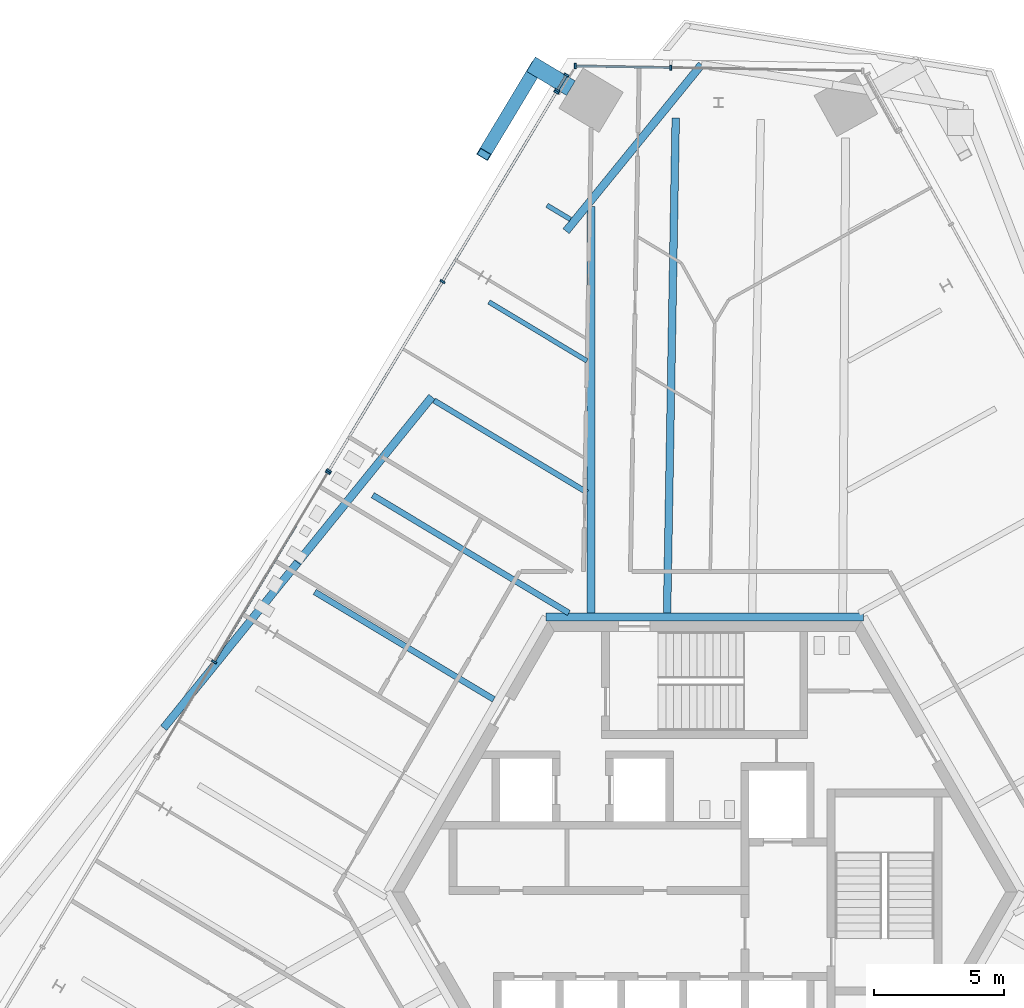
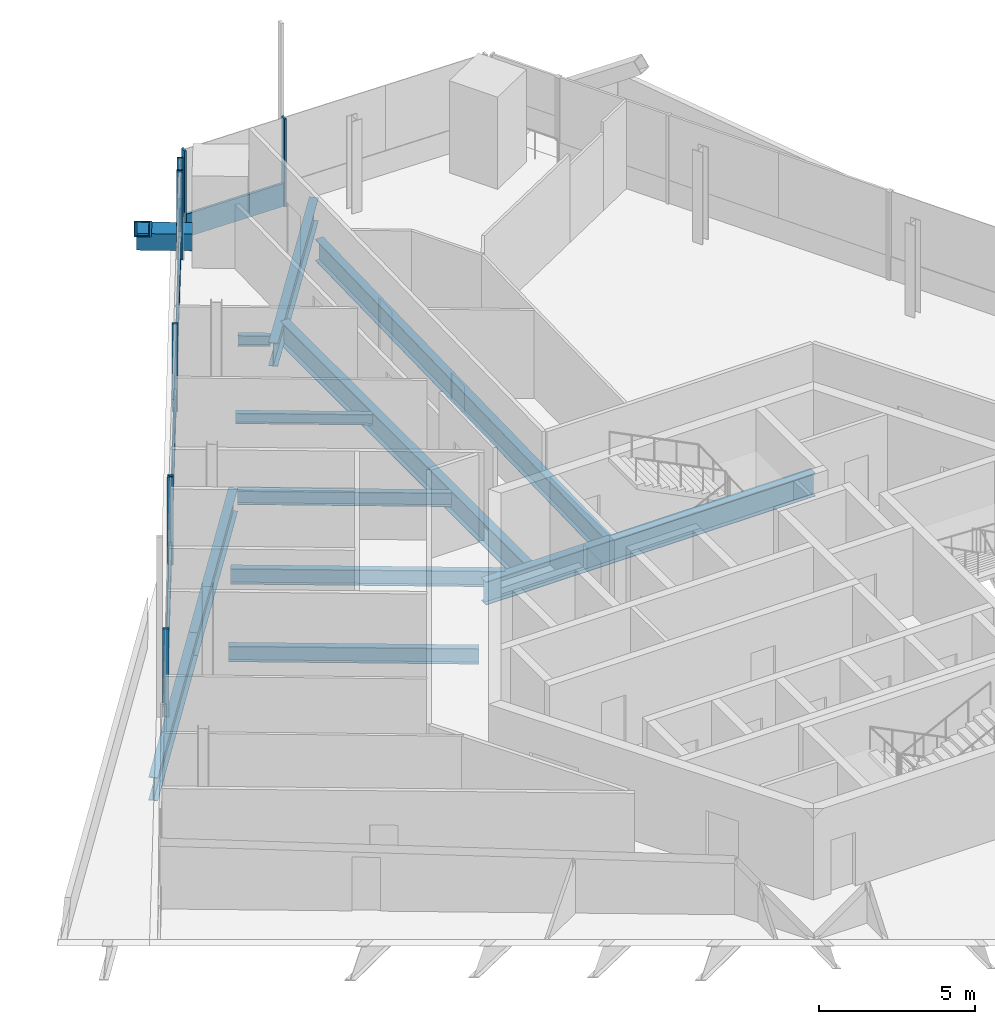
# One storey, part 8 of 22: 16 members, 11 beams, 4 elements without a shape of their own.
"""IFC4 building model written with IfcOpenShell, lengths in metres."""

from ifc_helpers import new_model, si_unit, direction, frame, origin, origin_2d, place, context, subcontext, project, spatial, rectangle, hollow_rectangle, i_section, extrude, source, transform, mapped, material, material_profile, profile_set, type_object, element, aggregate, save


model = new_model("IFC4")

# Units and contexts
model_context = context("Model", 3, precision=1e-05, world=origin(), true_north=direction((0.0, 1.0)))
body_context = subcontext(model_context, "Body", "Model", "MODEL_VIEW")
ifc_project = project(units=[si_unit("LENGTHUNIT", "METRE"), si_unit("AREAUNIT", "SQUARE_METRE"), si_unit("VOLUMEUNIT", "CUBIC_METRE"), si_unit("PLANEANGLEUNIT", "RADIAN"), si_unit("MASSUNIT", "GRAM", prefix="KILO")], contexts=[model_context])

# Site, building, storey
site_placement = place(None, origin())
site = spatial("IfcSite", under=ifc_project, at=site_placement, CompositionType="ELEMENT")
building_placement = place(site_placement, origin())
building = spatial("IfcBuilding", under=site, at=building_placement, Name="Triune Harvest Tower", CompositionType="ELEMENT")
storey_placement = place(building_placement, frame((0.0, 0.0, 179.89990234375)))
storey = spatial("IfcBuildingStorey", under=building, at=storey_placement, Name="L46", CompositionType="ELEMENT", Elevation=179.89990234375)

# Beams
ifc_material_1 = material(Name="Steel ASTM A992 Gr 50", Category="steel")
ifc_material_profile_1 = material_profile(ifc_material_1, i_section(OverallWidth=0.307373046875, OverallDepth=0.922119140625, WebThickness=0.018310546875, FlangeThickness=0.030029296875, at=origin_2d()), Name="W36x182")
ifc_profile_set_1 = profile_set([ifc_material_profile_1], Name="Steel ASTM A992 Gr 50")
beam_type_1 = type_object("IfcBeamType", Name="HG-2 Hip girder W36x182", PredefinedType="BEAM", material=ifc_profile_set_1)
beam_1_placement = place(storey_placement, frame((-4.359130859375, 26.281005859375, -0.620849609375), z_axis=(0.0, -1.0, 0.0), x_axis=(1.0, 0.0, 0.0)))
element("IfcBeam", 1, at=beam_1_placement, inside=storey, type_object=beam_type_1, Name="beam/L46/HG4", PredefinedType="BEAM", context=body_context, shape_type="SweptSolid", body=[
    extrude(i_section(OverallWidth=0.307373046875, OverallDepth=0.922119140625, WebThickness=0.018310546875, FlangeThickness=0.030029296875, at=origin_2d()), origin(), (0.0, 0.0, 1.0), 15.583984375),
])
ifc_material_2 = material(Name="Steel ASTM A992 Gr 50", Category="steel")
ifc_material_profile_2 = material_profile(ifc_material_2, i_section(OverallWidth=0.22900390625, OverallDepth=0.612060546875, WebThickness=0.011962890625, FlangeThickness=0.01953125, at=origin_2d()), Name="W24x84")
ifc_profile_set_2 = profile_set([ifc_material_profile_2], Name="Steel ASTM A992 Gr 50")
beam_type_2 = type_object("IfcBeamType", Name="JT-3 Floor joist W24x84", PredefinedType="JOIST", material=ifc_profile_set_2)
beam_2_placement = place(storey_placement, frame((-14.958251953125, 11.510009765625, -0.466064453125), z_axis=(0.857162090708, -0.515046745696, 0.0), x_axis=(0.515046745696, 0.857162090708, 0.0)))
element("IfcBeam", 2, at=beam_2_placement, inside=storey, type_object=beam_type_2, Name="beam/L46/JT17", PredefinedType="JOIST", context=body_context, shape_type="SweptSolid", body=[
    extrude(i_section(OverallWidth=0.22900390625, OverallDepth=0.612060546875, WebThickness=0.011962890625, FlangeThickness=0.01953125, at=origin_2d()), origin(), (0.0, 0.0, 1.0), 8.01318359375),
])
ifc_material_3 = material(Name="Steel ASTM A992 Gr 50", Category="steel")
ifc_material_profile_3 = material_profile(ifc_material_3, i_section(OverallWidth=0.3046875, OverallDepth=0.914306640625, WebThickness=0.0166015625, FlangeThickness=0.02587890625, at=origin_2d()), Name="W36x160")
ifc_profile_set_3 = profile_set([ifc_material_profile_3], Name="Steel ASTM A992 Gr 50")
beam_type_3 = type_object("IfcBeamType", Name="SB-1 Spandrel beam W36x160", PredefinedType="SPANDREL", material=ifc_profile_set_3)
beam_3_placement = place(storey_placement, frame((-0.122314453125, 31.73388671875, -0.6171875), z_axis=(-0.630829213857, -0.775921711865, 0.0), x_axis=(0.775921711865, -0.630829213857, 0.0)))
element("IfcBeam", 3, at=beam_3_placement, inside=storey, type_object=beam_type_3, Name="beam/L46/WB8", PredefinedType="SPANDREL", context=body_context, shape_type="SweptSolid", body=[
    extrude(i_section(OverallWidth=0.3046875, OverallDepth=0.914306640625, WebThickness=0.0166015625, FlangeThickness=0.02587890625, at=origin_2d()), origin(), (0.0, 0.0, 1.0), 8.23486328125),
])

# Curtain wall, member
ifc_material_4 = material(Name="Aluminium bronze anodised", Category="aluminium")
curtain_wall_type_1 = type_object("IfcCurtainWallType", Name="CW-1 Tower stick curtain wall", PredefinedType="NOTDEFINED", material=ifc_material_4)
curtain_wall_1_placement = place(storey_placement, origin())
curtain_wall_1 = element("IfcCurtainWall", 4, at=curtain_wall_1_placement, inside=storey, type_object=curtain_wall_type_1, Name="CW-1 B5-F3 L46 run 1")
ifc_material_5 = material(Name="Aluminium bronze anodised", Category="aluminium")
ifc_material_profile_4 = material_profile(ifc_material_5, rectangle(XDim=0.090087890625, YDim=0.89990234375, at=origin_2d()), Name="TR-1 transom 90 x 900")
ifc_profile_set_4 = profile_set([ifc_material_profile_4], Name="Aluminium bronze anodised")
member_type_1 = type_object("IfcMemberType", Name="TR-1 transom 90 x 900", PredefinedType="USERDEFINED", material=ifc_profile_set_4)
member_1_placement = place(storey_placement, frame((-5.315673828125, 31.300048828125, 1.43505859375), z_axis=(-0.515016791814, -0.857180088517, 0.0), x_axis=(0.857180088517, -0.515016791814, 0.0)))
member_1 = element("IfcMember", 5, at=member_1_placement, type_object=member_type_1, Name="CW-1 transom B5-F3 1.1", ObjectType="TRANSOM", PredefinedType="USERDEFINED", context=body_context, shape_type="SweptSolid", body=[
    extrude(rectangle(XDim=0.090087890625, YDim=0.89990234375, at=origin_2d()), origin(), (0.0, 0.0, 1.0), 0.6201171875),
])

# Beams
ifc_material_6 = material(Name="Steel ASTM A992 Gr 50", Category="steel")
ifc_material_profile_5 = material_profile(ifc_material_6, i_section(OverallWidth=0.3046875, OverallDepth=0.914306640625, WebThickness=0.0166015625, FlangeThickness=0.02587890625, at=origin_2d()), Name="W36x160")
ifc_profile_set_5 = profile_set([ifc_material_profile_5], Name="Steel ASTM A992 Gr 50")
beam_type_4 = type_object("IfcBeamType", Name="CG-1 Core ring girder W36x160", PredefinedType="BEAM", material=ifc_profile_set_5)
shared_shape_1 = source(origin(), body_context, "Body", "SweptSolid", [
    extrude(i_section(OverallWidth=0.3046875, OverallDepth=0.914306640625, WebThickness=0.0166015625, FlangeThickness=0.02587890625, at=origin_2d()), origin(), (0.0, 0.0, 1.0), 12.17578125),
])
beam_4_placement = place(storey_placement, frame((6.087890625, 10.544677734375, -0.6171875), z_axis=(-1.0, 0.0, 0.0), x_axis=(0.0, -1.0, 0.0)))
element("IfcBeam", 6, at=beam_4_placement, inside=storey, type_object=beam_type_4, Name="beam/L46/CG2", PredefinedType="BEAM", context=body_context, shape_type="MappedRepresentation", body=[
    mapped(shared_shape_1, transform((0.0, 0.0, 0.0), scale=1.0)),
])
shared_shape_2 = source(origin(), body_context, "Body", "SweptSolid", [
    extrude(i_section(OverallWidth=0.3046875, OverallDepth=0.914306640625, WebThickness=0.0166015625, FlangeThickness=0.02587890625, at=origin_2d()), origin(), (0.0, 0.0, 1.0), 8.175048828125),
])
for number, where, z_axis, x_axis, name in (
    (7, (-10.4619140625, 18.9912109375, -0.6171875), (-0.629320212564, -0.777146105992, 0.0), (0.777146105992, -0.629320212564, 0.0), "beam/L46/WB9"),
    (8, (-15.606689453125, 12.637939453125, -0.6171875), (-0.629302175622, -0.777160711666, 0.0), (0.777160711666, -0.629302175622, 0.0), "beam/L46/WB10"),
):
    element("IfcBeam", number, at=place(storey_placement, frame(where, z_axis=z_axis, x_axis=x_axis)), inside=storey, type_object=beam_type_3, Name=name, PredefinedType="SPANDREL", context=body_context, shape_type="MappedRepresentation", body=[
        mapped(shared_shape_2, transform((0.0, 0.0, 0.0), scale=1.0)),
    ])
ifc_material_7 = material(Name="Steel ASTM A992 Gr 50", Category="steel")
ifc_material_profile_6 = material_profile(ifc_material_7, i_section(OverallWidth=0.180908203125, OverallDepth=0.41650390625, WebThickness=0.010986328125, FlangeThickness=0.01806640625, at=origin_2d()), Name="W16x57")
ifc_profile_set_6 = profile_set([ifc_material_profile_6], Name="Steel ASTM A992 Gr 50")
beam_type_5 = type_object("IfcBeamType", Name="JT-1 Floor joist W16x57", PredefinedType="JOIST", material=ifc_profile_set_6)
shared_shape_3 = source(origin(), body_context, "Body", "SweptSolid", [
    extrude(i_section(OverallWidth=0.180908203125, OverallDepth=0.41650390625, WebThickness=0.010986328125, FlangeThickness=0.01806640625, at=origin_2d()), origin(), (0.0, 0.0, 1.0), 1.052490234375),
])
beam_5_placement = place(storey_placement, frame((-6.05029296875, 26.33544921875, -0.3681640625), z_axis=(0.857185733632, -0.51500739612, 0.0), x_axis=(0.51500739612, 0.857185733632, 0.0)))
element("IfcBeam", 9, at=beam_5_placement, inside=storey, type_object=beam_type_5, Name="beam/L46/JT13", PredefinedType="JOIST", context=body_context, shape_type="MappedRepresentation", body=[
    mapped(shared_shape_3, transform((0.0, 0.0, 0.0), scale=1.0)),
])
ifc_material_8 = material(Name="Steel ASTM A992 Gr 50", Category="steel")
ifc_material_profile_7 = material_profile(ifc_material_8, i_section(OverallWidth=0.2099609375, OverallDepth=0.535888671875, WebThickness=0.010986328125, FlangeThickness=0.017333984375, at=origin_2d()), Name="W21x68")
ifc_profile_set_7 = profile_set([ifc_material_profile_7], Name="Steel ASTM A992 Gr 50")
beam_type_6 = type_object("IfcBeamType", Name="JT-2 Floor joist W21x68", PredefinedType="JOIST", material=ifc_profile_set_7)
shared_shape_4 = source(origin(), body_context, "Body", "SweptSolid", [
    extrude(i_section(OverallWidth=0.2099609375, OverallDepth=0.535888671875, WebThickness=0.010986328125, FlangeThickness=0.017333984375, at=origin_2d()), origin(), (0.0, 0.0, 1.0), 6.84619140625),
])
beam_6_placement = place(storey_placement, frame((-10.381103515625, 18.8486328125, -0.427978515625), z_axis=(0.857181260015, -0.515014841999, 0.0), x_axis=(0.515014841999, 0.857181260015, 0.0)))
element("IfcBeam", 10, at=beam_6_placement, inside=storey, type_object=beam_type_6, Name="beam/L46/JT15", PredefinedType="JOIST", context=body_context, shape_type="MappedRepresentation", body=[
    mapped(shared_shape_4, transform((0.0, 0.0, 0.0), scale=1.0)),
])
shared_shape_5 = source(origin(), body_context, "Body", "SweptSolid", [
    extrude(i_section(OverallWidth=0.22900390625, OverallDepth=0.612060546875, WebThickness=0.011962890625, FlangeThickness=0.01953125, at=origin_2d()), origin(), (0.0, 0.0, 1.0), 8.774658203125),
])
beam_7_placement = place(storey_placement, frame((-12.731201171875, 15.21630859375, -0.466064453125), z_axis=(0.85716377645, -0.515043940204, 0.0), x_axis=(0.515043940204, 0.85716377645, 0.0)))
element("IfcBeam", 11, at=beam_7_placement, inside=storey, type_object=beam_type_2, Name="beam/L46/JT16", PredefinedType="JOIST", context=body_context, shape_type="MappedRepresentation", body=[
    mapped(shared_shape_5, transform((0.0, 0.0, 0.0), scale=1.0)),
])
ifc_material_9 = material(Name="Steel ASTM A992 Gr 50", Category="steel")
ifc_material_profile_8 = material_profile(ifc_material_9, i_section(OverallWidth=0.2919921875, OverallDepth=0.8408203125, WebThickness=0.0146484375, FlangeThickness=0.021728515625, at=origin_2d()), Name="W33x130")
ifc_profile_set_8 = profile_set([ifc_material_profile_8], Name="Steel ASTM A992 Gr 50")
beam_type_7 = type_object("IfcBeamType", Name="JT-6 Floor joist W33x130", PredefinedType="JOIST", material=ifc_profile_set_8)
shared_shape_6 = source(origin(), body_context, "Body", "SweptSolid", [
    extrude(i_section(OverallWidth=0.2919921875, OverallDepth=0.8408203125, WebThickness=0.0146484375, FlangeThickness=0.021728515625, at=origin_2d()), origin(), (0.0, 0.0, 1.0), 18.98779296875),
])
beam_8_placement = place(storey_placement, frame((-1.111572265625, 29.681884765625, -0.580322265625), z_axis=(-0.017460880239, -0.99984754721, 0.0), x_axis=(0.99984754721, -0.017460880239, 0.0)))
element("IfcBeam", 12, at=beam_8_placement, inside=storey, type_object=beam_type_7, Name="beam/L46/JT12", PredefinedType="JOIST", context=body_context, shape_type="MappedRepresentation", body=[
    mapped(shared_shape_6, transform((0.0, 0.0, 0.0), scale=1.0)),
])
shared_shape_7 = source(origin(), body_context, "Body", "SweptSolid", [
    extrude(i_section(OverallWidth=0.180908203125, OverallDepth=0.41650390625, WebThickness=0.010986328125, FlangeThickness=0.01806640625, at=origin_2d()), origin(), (0.0, 0.0, 1.0), 4.391845703125),
])
beam_9_placement = place(storey_placement, frame((-8.27734375, 22.629150390625, -0.3681640625), z_axis=(0.857173944952, -0.51502701686, 0.0), x_axis=(0.51502701686, 0.857173944952, 0.0)))
element("IfcBeam", 13, at=beam_9_placement, inside=storey, type_object=beam_type_5, Name="beam/L46/JT14", PredefinedType="JOIST", context=body_context, shape_type="MappedRepresentation", body=[
    mapped(shared_shape_7, transform((0.0, 0.0, 0.0), scale=1.0)),
])

# Members
ifc_material_10 = material(Name="Steel ASTM A572 Gr 50", Category="steel")
ifc_material_profile_9 = material_profile(ifc_material_10, hollow_rectangle(XDim=0.64990234375, YDim=0.64990234375, WallThickness=0.070068359375, at=origin_2d()), Name="Box 650x650x70")
ifc_profile_set_9 = profile_set([ifc_material_profile_9], Name="Steel ASTM A572 Gr 50")
member_type_2 = type_object("IfcMemberType", Name="BS-1 Brace stub Box 650x650x70", PredefinedType="STRUT", material=ifc_profile_set_9)
shared_shape_8 = source(origin(), body_context, "Body", "SweptSolid", [
    extrude(hollow_rectangle(XDim=0.64990234375, YDim=0.64990234375, WallThickness=0.070068359375, at=origin_2d()), origin(), (0.0, 0.0, 1.0), 1.787109375),
])
member_2_placement = place(storey_placement, frame((-5.130615234375, 30.8271484375, 0.60009765625), z_axis=(-0.857094891513, 0.515158564854, 0.0), x_axis=(-0.515158564854, -0.857094891513, 0.0)))
element("IfcMember", 14, at=member_2_placement, inside=storey, type_object=member_type_2, Name="brace/B5-F3/stub1", PredefinedType="STRUT", context=body_context, shape_type="MappedRepresentation", body=[
    mapped(shared_shape_8, transform((0.0, 0.0, 0.0), scale=1.0)),
])
ifc_material_11 = material(Name="Steel ASTM A572 Gr 50", Category="steel")
ifc_material_profile_10 = material_profile(ifc_material_11, hollow_rectangle(XDim=0.5, YDim=0.5, WallThickness=0.030029296875, at=origin_2d()), Name="Box 500x500x30")
ifc_profile_set_10 = profile_set([ifc_material_profile_10], Name="Steel ASTM A572 Gr 50")
member_type_3 = type_object("IfcMemberType", Name="BR-3 Brace Box 500x500x30", PredefinedType="BRACE", material=ifc_profile_set_10)
shared_shape_9 = source(origin(), body_context, "Body", "SweptSolid", [
    extrude(hollow_rectangle(XDim=0.5, YDim=0.5, WallThickness=0.030029296875, at=origin_2d()), origin(), (0.0, 0.0, 1.0), 4.74462890625),
])
member_3_placement = place(storey_placement, frame((-6.4609375, 31.626708984375, 0.89013671875), z_axis=(-0.422758308536, -0.703602374746, 0.571155942642), x_axis=(0.857171952851, -0.515030332355, 0.0)))
element("IfcMember", 15, at=member_3_placement, inside=storey, type_object=member_type_3, Name="brace/B5-F3/d1/1", PredefinedType="BRACE", context=body_context, shape_type="MappedRepresentation", body=[
    mapped(shared_shape_9, transform((0.0, 0.0, 0.0), scale=1.0)),
])

# Curtain wall, members
curtain_wall_2_placement = place(storey_placement, origin())
curtain_wall_2 = element("IfcCurtainWall", 16, at=curtain_wall_2_placement, inside=storey, type_object=curtain_wall_type_1, Name="CW-1 B5-F2 L46 run 1")
ifc_material_12 = material(Name="Aluminium bronze anodised", Category="aluminium")
ifc_material_profile_11 = material_profile(ifc_material_12, rectangle(XDim=0.199951171875, YDim=0.074951171875, at=origin_2d()), Name="MU-1 mullion 75 x 200")
ifc_profile_set_11 = profile_set([ifc_material_profile_11], Name="Aluminium bronze anodised")
member_type_4 = type_object("IfcMemberType", Name="MU-1 mullion 75 x 200", PredefinedType="MULLION", material=ifc_profile_set_11)
shared_shape_10 = source(origin(), body_context, "Body", "SweptSolid", [
    extrude(rectangle(XDim=0.199951171875, YDim=0.074951171875, at=origin_2d()), origin(), (0.0, 0.0, 1.0), 3.440185546875),
])
member_4_placement = place(storey_placement, frame((-1.298583984375, 31.612548828125, 0.0), z_axis=(0.0, 0.0, 1.0), x_axis=(-0.017446318452, -0.999847801404, 0.0)))
member_4 = element("IfcMember", 17, at=member_4_placement, type_object=member_type_4, Name="CW-1 mullion B5-F2 1.3", PredefinedType="MULLION", context=body_context, shape_type="MappedRepresentation", body=[
    mapped(shared_shape_10, transform((0.0, 0.0, 0.0), scale=1.0)),
])
member_5_placement = place(storey_placement, frame((-4.960693359375, 31.676513671875, 0.0), z_axis=(0.0, 0.0, 1.0), x_axis=(-0.017446318452, -0.999847801404, 0.0)))
member_5 = element("IfcMember", 18, at=member_5_placement, type_object=member_type_4, Name="CW-1 mullion B5-F2 1.4", PredefinedType="MULLION", context=body_context, shape_type="MappedRepresentation", body=[
    mapped(shared_shape_10, transform((0.0, 0.0, 0.0), scale=1.0)),
])

ifc_material_13 = material(Name="Aluminium bronze anodised", Category="aluminium")
curtain_wall_type_2 = type_object("IfcCurtainWallType", Name="CW-7 Tower stick curtain wall with insulated spandrel infill", PredefinedType="NOTDEFINED", material=ifc_material_13)
curtain_wall_3_placement = place(storey_placement, origin())
curtain_wall_3 = element("IfcCurtainWall", 19, at=curtain_wall_3_placement, inside=storey, type_object=curtain_wall_type_2, Name="CW-7 B5-F3 L46 run 101")
member_6_placement = place(storey_placement, frame((-5.69287109375, 30.672119140625, 0.0), z_axis=(0.0, 0.0, 1.0), x_axis=(0.857169699895, -0.515034081961, 0.0)))
member_6 = element("IfcMember", 20, at=member_6_placement, type_object=member_type_4, Name="CW-7 mullion B5-F3 101.1", PredefinedType="MULLION", context=body_context, shape_type="MappedRepresentation", body=[
    mapped(shared_shape_10, transform((0.0, 0.0, 0.0), scale=1.0)),
])
member_7_placement = place(storey_placement, frame((-10.055419921875, 23.41162109375, 0.0), z_axis=(0.0, 0.0, 1.0), x_axis=(0.857169699895, -0.515034081961, 0.0)))
member_7 = element("IfcMember", 21, at=member_7_placement, type_object=member_type_4, Name="CW-7 mullion B5-F3 101.3", PredefinedType="MULLION", context=body_context, shape_type="MappedRepresentation", body=[
    mapped(shared_shape_10, transform((0.0, 0.0, 0.0), scale=1.0)),
])
member_8_placement = place(storey_placement, frame((-14.41796875, 16.151123046875, 0.0), z_axis=(0.0, 0.0, 1.0), x_axis=(0.857169699895, -0.515034081961, 0.0)))
member_8 = element("IfcMember", 22, at=member_8_placement, type_object=member_type_4, Name="CW-7 mullion B5-F3 101.5", PredefinedType="MULLION", context=body_context, shape_type="MappedRepresentation", body=[
    mapped(shared_shape_10, transform((0.0, 0.0, 0.0), scale=1.0)),
])

curtain_wall_4_placement = place(storey_placement, origin())
curtain_wall_4 = element("IfcCurtainWall", 23, at=curtain_wall_4_placement, inside=storey, type_object=curtain_wall_type_1, Name="CW-1 B5-F3 L46 run 1101")
member_9_placement = place(storey_placement, frame((-14.45654296875, 16.086669921875, 0.0), z_axis=(0.0, 0.0, 1.0), x_axis=(0.857164336448, -0.515043008225, 0.0)))
member_9 = element("IfcMember", 24, at=member_9_placement, type_object=member_type_4, Name="CW-1 mullion B5-F3 1101.1", PredefinedType="MULLION", context=body_context, shape_type="MappedRepresentation", body=[
    mapped(shared_shape_10, transform((0.0, 0.0, 0.0), scale=1.0)),
])
member_10_placement = place(storey_placement, frame((-18.8193359375, 8.826171875, 0.0), z_axis=(0.0, 0.0, 1.0), x_axis=(0.857164336448, -0.515043008225, 0.0)))
member_10 = element("IfcMember", 25, at=member_10_placement, type_object=member_type_4, Name="CW-1 mullion B5-F3 1101.3", PredefinedType="MULLION", context=body_context, shape_type="MappedRepresentation", body=[
    mapped(shared_shape_10, transform((0.0, 0.0, 0.0), scale=1.0)),
])

# Member
shared_shape_11 = source(origin(), body_context, "Body", "SweptSolid", [
    extrude(rectangle(XDim=0.199951171875, YDim=0.074951171875, at=origin_2d()), origin(), (0.0, 0.0, 1.0), 2.455078125),
])
member_11_placement = place(storey_placement, frame((-5.29638671875, 31.332275390625, 0.985107421875), z_axis=(0.0, 0.0, 1.0), x_axis=(0.857183406449, -0.515011269496, 0.0)))
member_11 = element("IfcMember", 26, at=member_11_placement, type_object=member_type_4, Name="CW-1 mullion B5-F3 1.1", PredefinedType="MULLION", context=body_context, shape_type="MappedRepresentation", body=[
    mapped(shared_shape_11, transform((0.0, 0.0, 0.0), scale=1.0)),
])

member_12_placement = place(storey_placement, frame((-5.654296875, 30.736328125, 0.985107421875), z_axis=(0.0, 0.0, 1.0), x_axis=(0.857183406449, -0.515011269496, 0.0)))
member_12 = element("IfcMember", 27, at=member_12_placement, type_object=member_type_4, Name="CW-1 mullion B5-F3 1.2", PredefinedType="MULLION", context=body_context, shape_type="MappedRepresentation", body=[
    mapped(shared_shape_11, transform((0.0, 0.0, 0.0), scale=1.0)),
])

aggregate(curtain_wall_1, [member_11, member_12, member_1])

shared_shape_12 = source(origin(), body_context, "Body", "SweptSolid", [
    extrude(rectangle(XDim=0.090087890625, YDim=0.89990234375, at=origin_2d()), origin(), (0.0, 0.0, 1.0), 3.58740234375),
])
member_13_placement = place(storey_placement, frame((-1.336181640625, 31.61328125, 0.4501953125), z_axis=(-0.999848228853, 0.017421804151, 0.0), x_axis=(-0.017421804151, -0.999848228853, 0.0)))
member_13 = element("IfcMember", 28, at=member_13_placement, type_object=member_type_1, Name="CW-1 transom B5-F2 1.2", ObjectType="TRANSOM", PredefinedType="USERDEFINED", context=body_context, shape_type="MappedRepresentation", body=[
    mapped(shared_shape_12, transform((0.0, 0.0, 0.0), scale=1.0)),
])

aggregate(curtain_wall_2, [member_4, member_5, member_13])

shared_shape_13 = source(origin(), body_context, "Body", "SweptSolid", [
    extrude(rectangle(XDim=0.090087890625, YDim=0.89990234375, at=origin_2d()), origin(), (0.0, 0.0, 1.0), 8.395263671875),
])
member_14_placement = place(storey_placement, frame((-5.712158203125, 30.639892578125, 0.4501953125), z_axis=(-0.515051605441, -0.857159170593, 0.0), x_axis=(0.857159170593, -0.515051605441, 0.0)))
member_14 = element("IfcMember", 29, at=member_14_placement, type_object=member_type_1, Name="CW-7 transom B5-F3 101.1", ObjectType="TRANSOM", PredefinedType="USERDEFINED", context=body_context, shape_type="MappedRepresentation", body=[
    mapped(shared_shape_13, transform((0.0, 0.0, 0.0), scale=1.0)),
])

shared_shape_14 = source(origin(), body_context, "Body", "SweptSolid", [
    extrude(rectangle(XDim=0.090087890625, YDim=0.89990234375, at=origin_2d()), origin(), (0.0, 0.0, 1.0), 8.3955078125),
])
member_15_placement = place(storey_placement, frame((-10.07470703125, 23.37939453125, 0.4501953125), z_axis=(-0.515038767038, -0.857166884829, 0.0), x_axis=(0.857166884829, -0.515038767038, 0.0)))
member_15 = element("IfcMember", 30, at=member_15_placement, type_object=member_type_1, Name="CW-7 transom B5-F3 101.2", ObjectType="TRANSOM", PredefinedType="USERDEFINED", context=body_context, shape_type="MappedRepresentation", body=[
    mapped(shared_shape_14, transform((0.0, 0.0, 0.0), scale=1.0)),
])

aggregate(curtain_wall_3, [member_6, member_7, member_8, member_14, member_15])

member_16_placement = place(storey_placement, frame((-14.475830078125, 16.0546875, 0.4501953125), z_axis=(-0.515038767038, -0.857166884829, 0.0), x_axis=(0.857166884829, -0.515038767038, 0.0)))
member_16 = element("IfcMember", 31, at=member_16_placement, type_object=member_type_1, Name="CW-1 transom B5-F3 1101.1", ObjectType="TRANSOM", PredefinedType="USERDEFINED", context=body_context, shape_type="MappedRepresentation", body=[
    mapped(shared_shape_14, transform((0.0, 0.0, 0.0), scale=1.0)),
])

aggregate(curtain_wall_4, [member_9, member_10, member_16])

save(model, "model.ifc")
